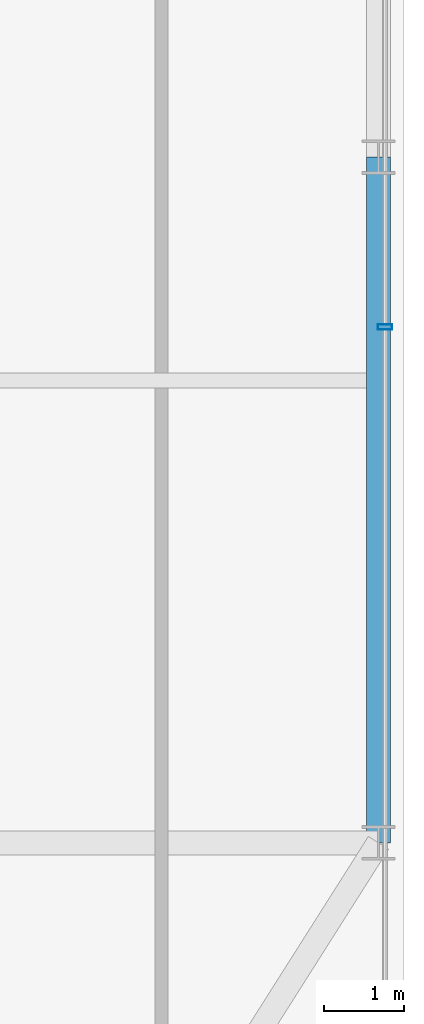
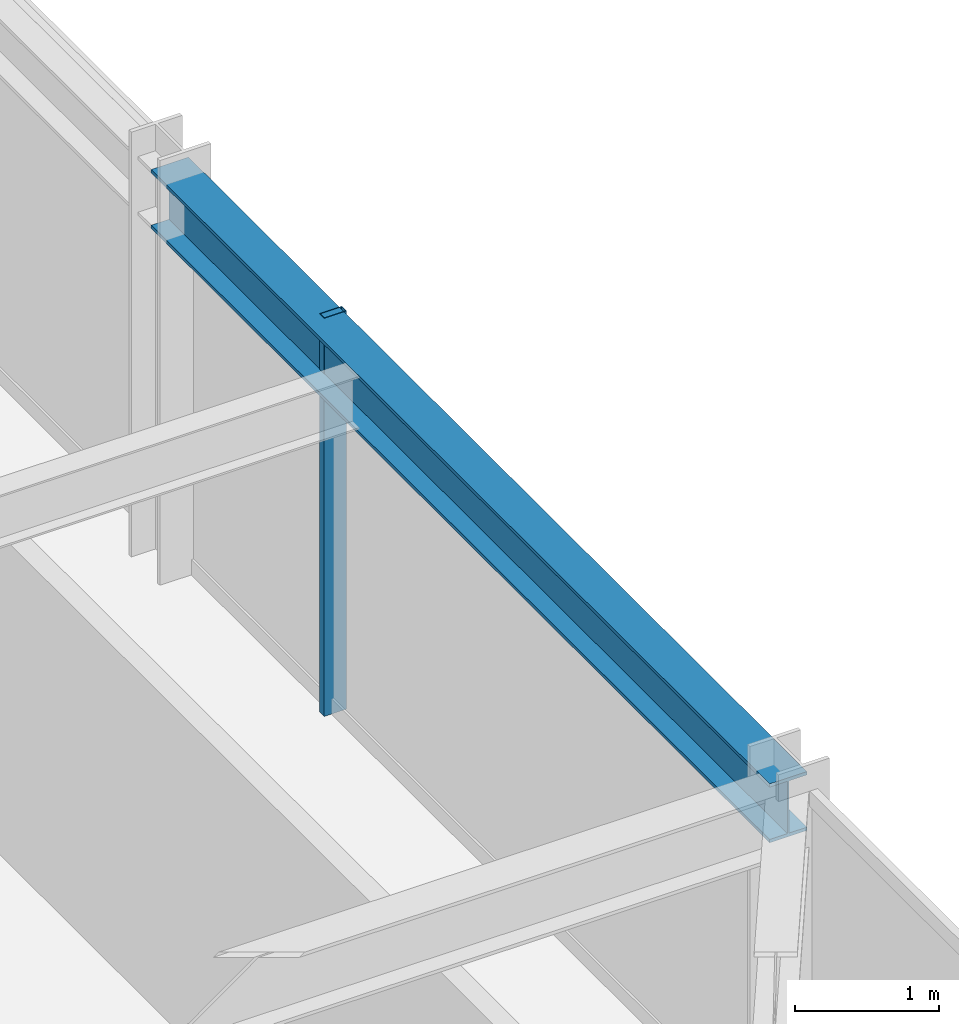
# One storey, part 13 of 35: 1 beam, 1 member, 1 element without a shape of its own.
"""IFC4 building model written with IfcOpenShell, lengths in metres."""

from ifc_helpers import new_model, si_unit, direction, frame, origin, origin_2d, place, context, subcontext, project, spatial, hollow_rectangle, i_section, extrude, source, transform, mapped, material, material_profile, profile_set, type_object, element, aggregate, save


model = new_model("IFC4")

# Units and contexts
model_context = context("Model", 3, precision=1e-05, world=origin(), true_north=direction((0.0, 1.0)))
body_context = subcontext(model_context, "Body", "Model", "MODEL_VIEW")
ifc_project = project(units=[si_unit("LENGTHUNIT", "METRE"), si_unit("AREAUNIT", "SQUARE_METRE"), si_unit("VOLUMEUNIT", "CUBIC_METRE"), si_unit("PLANEANGLEUNIT", "RADIAN"), si_unit("MASSUNIT", "GRAM", prefix="KILO")], contexts=[model_context])

# Site, building, storey
site_placement = place(None, origin())
site = spatial("IfcSite", under=ifc_project, at=site_placement, CompositionType="ELEMENT")
building_placement = place(site_placement, origin())
building = spatial("IfcBuilding", under=site, at=building_placement, Name="Nahalor Promenade Grand Hotel", CompositionType="ELEMENT")
storey_placement = place(building_placement, frame((0.0, 0.0, 106.550048828125)))
storey = spatial("IfcBuildingStorey", under=building, at=storey_placement, Name="L26", CompositionType="ELEMENT", Elevation=106.550048828125)

# Beam
ifc_material_1 = material(Name="Steel S355JR", Category="steel")
ifc_material_profile_1 = material_profile(ifc_material_1, i_section(OverallWidth=0.3, OverallDepth=0.5, WebThickness=0.0145, FlangeThickness=0.028, at=origin_2d()), Name="HEB 500")
ifc_profile_set_1 = profile_set([ifc_material_profile_1], Name="Steel S355JR")
beam_type = type_object("IfcBeamType", Name="Beam-Spandrel-HEB500", PredefinedType="SPANDREL", material=ifc_profile_set_1)
shared_shape_1 = source(origin(), body_context, "Body", "SweptSolid", [
    extrude(i_section(OverallWidth=0.3, OverallDepth=0.5, WebThickness=0.0145, FlangeThickness=0.028, at=origin_2d()), origin(), (0.0, 0.0, 1.0), 8.60009765625),
])
beam_placement = place(storey_placement, frame((23.780029296875, -17.0, 3.1298828125), z_axis=(0.0, 1.0, 0.0), x_axis=(-1.0, 0.0, 0.0)))
element("IfcBeam", 1, at=beam_placement, inside=storey, type_object=beam_type, Name="BM-L26-SP-E-0", PredefinedType="SPANDREL", context=body_context, shape_type="MappedRepresentation", body=[
    mapped(shared_shape_1, transform((0.0, 0.0, 0.0), scale=1.0)),
])

# Curtain wall, member
ifc_material_2 = material(Name="Anodised Bronze Aluminium EN AW-6063 T6", Category="aluminium")
curtain_wall_type = type_object("IfcCurtainWallType", Name="CW2 Typical Hotel Flush Bronze Unitised Curtain Wall", PredefinedType="USERDEFINED", material=ifc_material_2)
curtain_wall_placement = place(storey_placement, origin())
curtain_wall = element("IfcCurtainWall", 2, at=curtain_wall_placement, inside=storey, type_object=curtain_wall_type, Name="L26 Curtain Wall CW-L26-E-1", ObjectType="UNITISED_CURTAIN_WALL", PredefinedType="USERDEFINED")
ifc_material_profile_2 = material_profile(ifc_material_2, hollow_rectangle(XDim=0.065, YDim=0.18, WallThickness=0.004, at=origin_2d()), Name="CWM 65x180x4")
ifc_profile_set_2 = profile_set([ifc_material_profile_2], Name="Anodised Bronze Aluminium EN AW-6063 T6")
member_type = type_object("IfcMemberType", Name="CWM2 Typical Bronze Mullion 65x180", PredefinedType="MULLION", material=ifc_profile_set_2)
shared_shape_2 = source(origin(), body_context, "Body", "SweptSolid", [
    extrude(hollow_rectangle(XDim=0.065, YDim=0.18, WallThickness=0.004, at=origin_2d()), origin(), (0.0, 0.0, 1.0), 3.3798828125),
])
member_placement = place(storey_placement, frame((23.860107421875, -10.530029296875, 0.0), z_axis=(0.0, 0.0, 1.0), x_axis=(0.0, 1.0, 0.0)))
member = element("IfcMember", 3, at=member_placement, type_object=member_type, Name="CW-L26-E-1 Mullion 1", PredefinedType="MULLION", context=body_context, shape_type="MappedRepresentation", body=[
    mapped(shared_shape_2, transform((0.0, 0.0, 0.0), scale=1.0)),
])
aggregate(curtain_wall, [member])

save(model, "model.ifc")
